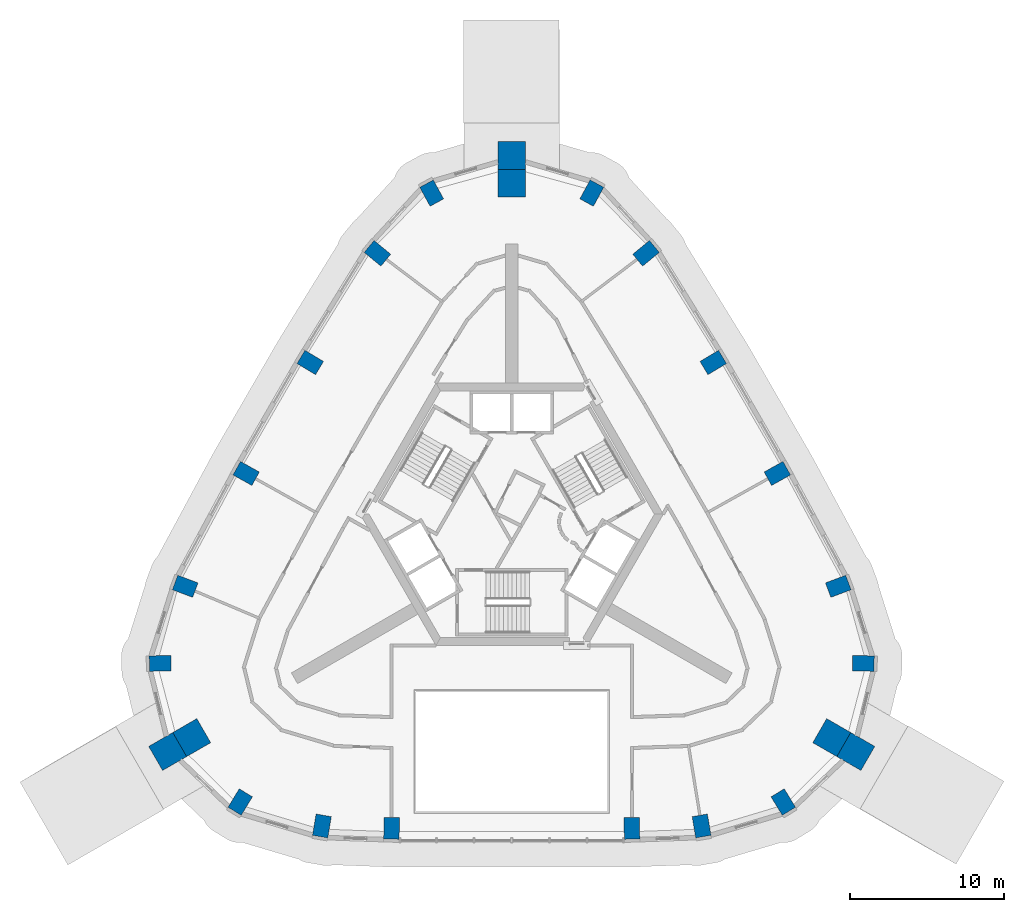
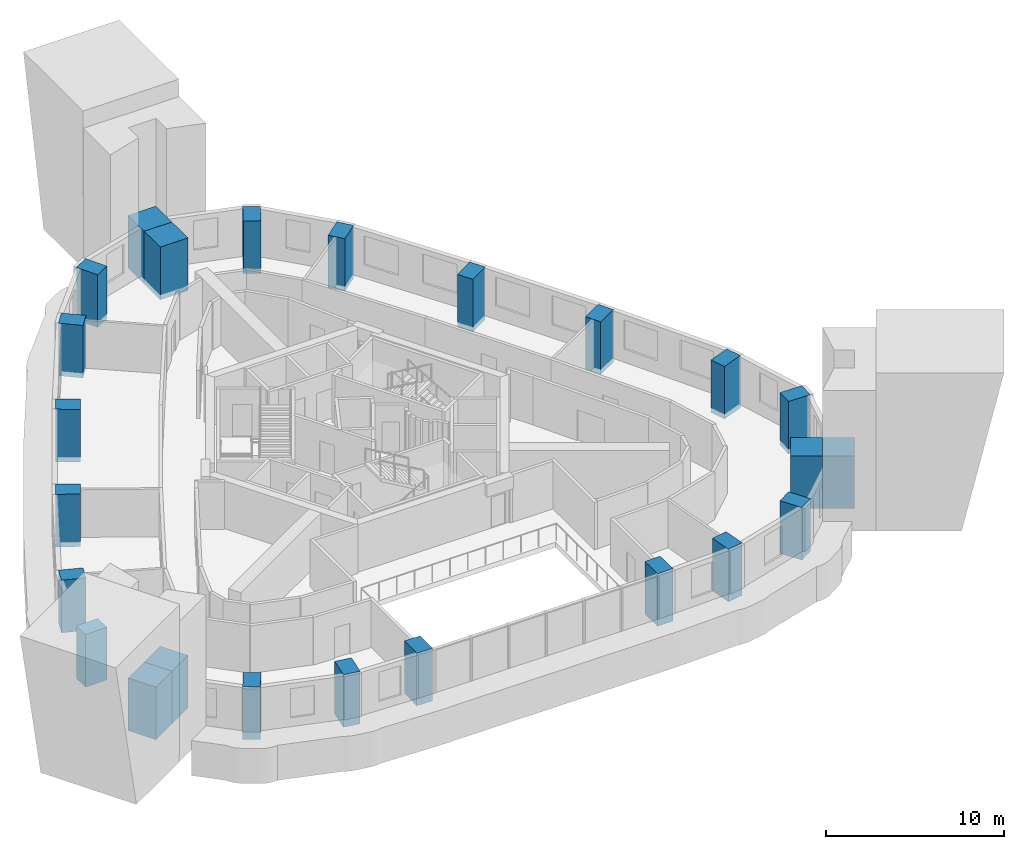
# One storey, part 1 of 11: 24 columns.
"""IFC4 building model written with IfcOpenShell, lengths in metres."""

from ifc_helpers import new_model, si_unit, direction, frame, origin, origin_2d, place, context, subcontext, project, spatial, rectangle, extrude, material, material_profile, profile_set, type_object, element, save


model = new_model("IFC4")

# Units and contexts
model_context = context("Model", 3, precision=1e-05, world=origin(), true_north=direction((0.0, 1.0)))
body_context = subcontext(model_context, "Body", "Model", "MODEL_VIEW")
ifc_project = project(units=[si_unit("LENGTHUNIT", "METRE"), si_unit("AREAUNIT", "SQUARE_METRE"), si_unit("VOLUMEUNIT", "CUBIC_METRE"), si_unit("PLANEANGLEUNIT", "RADIAN"), si_unit("MASSUNIT", "GRAM", prefix="KILO")], contexts=[model_context])

# Site, building, storey
site_placement = place(None, origin())
site = spatial("IfcSite", under=ifc_project, at=site_placement, CompositionType="ELEMENT")
building_placement = place(site_placement, origin())
building = spatial("IfcBuilding", under=site, at=building_placement, Name="Entoto Arch Interchange Tower", CompositionType="ELEMENT")
storey_placement = place(building_placement, frame((0.0, 0.0, 308.0)))
storey = spatial("IfcBuildingStorey", under=building, at=storey_placement, Name="L72", CompositionType="ELEMENT", Elevation=308.0)

# Columns
ifc_material_1 = material(Name="Concrete C40/50", Category="concrete")
ifc_material_profile_1 = material_profile(ifc_material_1, rectangle(XDim=1.0, YDim=1.39990234375, at=origin_2d()))
ifc_profile_set_1 = profile_set([ifc_material_profile_1], Name="Concrete C40/50")
column_type_1 = type_object("IfcColumnType", Name="Column RC 1000x1400 C40/50", PredefinedType="COLUMN", material=ifc_profile_set_1)
for number, where, z_axis, x_axis, name in (
    (1, (-12.297119140625, -17.694091796875, -0.340087890625), (0.0, 0.0, 1.0), (-0.985785690827, 0.168007653877, 0.0), "Column S01 L72"),
    (2, (-7.781982421875, -17.845947265625, -0.340087890625), (0.0, 0.0, 1.0), (-0.999805523312, 0.019720942027, 0.0), "Column S02 L72"),
    (3, (7.781982421875, -17.845947265625, -0.340087890625), (0.0, 0.0, 1.0), (0.999805523312, 0.019720942027, 0.0), "Column S03 L72"),
    (4, (12.297119140625, -17.694091796875, -0.340087890625), (0.0, 0.0, 1.0), (0.985785690827, 0.168007653877, 0.0), "Column S04 L72"),
    (5, (17.589111328125, -16.14306640625, -0.340087890625), (0.0, 0.0, 1.0), (0.853650808213, 0.520845752251, 0.0), "Column SE1 L72"),
    (6, (22.77490234375, -7.159912109375, -0.340087890625), (0.0, 0.0, 1.0), (0.024257696956, 0.999705738774, 0.0), "Column SE3 L72"),
    (7, (21.153076171875, -2.16796875, -0.340087890625), (0.0, 0.0, 1.0), (-0.3507141184, 0.93648257173, 0.0), "Column NE01 L72"),
    (8, (17.2041015625, 5.14111328125, -0.340087890625), (0.0, 0.0, 1.0), (-0.48592357098, 0.874001306158, 0.0), "Column NE02 L72"),
    (9, (13.053955078125, 12.3291015625, -0.340087890625), (0.0, 0.0, 1.0), (-0.513945548584, 0.857822809845, 0.0), "Column NE03 L72"),
    (10, (8.698974609375, 19.403076171875, -0.340087890625), (0.0, 0.0, 1.0), (-0.635647164629, 0.771979716119, 0.0), "Column NE04 L72"),
    (11, (5.18603515625, 23.303955078125, -0.340087890625), (0.0, 0.0, 1.0), (-0.877899414566, 0.478845087586, 0.0), "Column N1 L72"),
    (12, (-5.18603515625, 23.303955078125, -0.340087890625), (0.0, 0.0, 1.0), (0.877899414566, 0.478845087586, 0.0), "Column N3 L72"),
    (13, (-8.698974609375, 19.403076171875, -0.340087890625), (0.0, 0.0, 1.0), (0.635647164629, 0.771979716119, 0.0), "Column NW01 L72"),
    (14, (-13.053955078125, 12.3291015625, -0.340087890625), (0.0, 0.0, 1.0), (0.513945548584, 0.857822809845, 0.0), "Column NW02 L72"),
    (15, (-17.2041015625, 5.14111328125, -0.340087890625), (0.0, 0.0, 1.0), (0.48592357098, 0.874001306158, 0.0), "Column NW03 L72"),
    (16, (-21.153076171875, -2.16796875, -0.340087890625), (0.0, 0.0, 1.0), (0.3507141184, 0.93648257173, 0.0), "Column NW04 L72"),
    (17, (-22.77490234375, -7.159912109375, -0.340087890625), (0.0, 0.0, 1.0), (-0.024257696956, 0.999705738774, 0.0), "Column SW1 L72"),
    (18, (-17.589111328125, -16.14306640625, -0.340087890625), (0.0, 0.0, 1.0), (-0.853650808213, 0.520845752251, 0.0), "Column SW3 L72"),
):
    element("IfcColumn", number, at=place(storey_placement, frame(where, z_axis=z_axis, x_axis=x_axis)), inside=storey, type_object=column_type_1, Name=name, PredefinedType="COLUMN", context=body_context, shape_type="SweptSolid", body=[
        extrude(rectangle(XDim=1.0, YDim=1.39990234375, at=origin_2d()), origin(), (0.0, 0.0, 1.0), 3.60009765625),
    ])
ifc_material_2 = material(Name="Precast concrete C40/50", Category="concrete")
ifc_material_profile_2 = material_profile(ifc_material_2, rectangle(XDim=1.800048828125, YDim=1.800048828125, at=origin_2d()))
ifc_profile_set_2 = profile_set([ifc_material_profile_2], Name="Precast concrete C40/50")
column_type_2 = type_object("IfcColumnType", Name="Frame post RC 1800x1800 precast C40/50", PredefinedType="COLUMN", material=ifc_profile_set_2)
for number, where, z_axis, x_axis, name in (
    (19, (22.2890625, -12.868896484375, -0.340087890625), (0.0, 0.0, 1.0), (-0.866025403784, 0.5, 0.0), "Frame post SE L72"),
    (20, (0.0, 25.737060546875, -0.340087890625), (0.0, 0.0, 1.0), (0.0, 1.0, 0.0), "Frame post N L72"),
    (21, (-22.2890625, -12.868896484375, -0.340087890625), (0.0, 0.0, 1.0), (0.866025403784, 0.5, 0.0), "Frame post SW L72"),
):
    element("IfcColumn", number, at=place(storey_placement, frame(where, z_axis=z_axis, x_axis=x_axis)), inside=storey, type_object=column_type_2, Name=name, PredefinedType="COLUMN", context=body_context, shape_type="SweptSolid", body=[
        extrude(rectangle(XDim=1.800048828125, YDim=1.800048828125, at=origin_2d()), origin(), (0.0, 0.0, 1.0), 3.60009765625),
    ])
ifc_material_profile_3 = material_profile(ifc_material_1, rectangle(XDim=1.800048828125, YDim=1.800048828125, at=origin_2d()))
ifc_profile_set_3 = profile_set([ifc_material_profile_3], Name="Concrete C40/50")
column_type_3 = type_object("IfcColumnType", Name="Mega column RC 1800x1800 C40/50", PredefinedType="COLUMN", material=ifc_profile_set_3)
for number, where, z_axis, x_axis, name in (
    (22, (20.72998046875, -11.968994140625, -0.340087890625), (0.0, 0.0, 1.0), (-0.866025403784, 0.5, 0.0), "Corner mega column SE2 L72"),
    (23, (0.0, 23.93701171875, -0.340087890625), (0.0, 0.0, 1.0), (0.0, 1.0, 0.0), "Corner mega column N2 L72"),
    (24, (-20.72998046875, -11.968994140625, -0.340087890625), (0.0, 0.0, 1.0), (0.866025403784, 0.5, 0.0), "Corner mega column SW2 L72"),
):
    element("IfcColumn", number, at=place(storey_placement, frame(where, z_axis=z_axis, x_axis=x_axis)), inside=storey, type_object=column_type_3, Name=name, PredefinedType="COLUMN", context=body_context, shape_type="SweptSolid", body=[
        extrude(rectangle(XDim=1.800048828125, YDim=1.800048828125, at=origin_2d()), origin(), (0.0, 0.0, 1.0), 3.60009765625),
    ])

save(model, "model.ifc")
